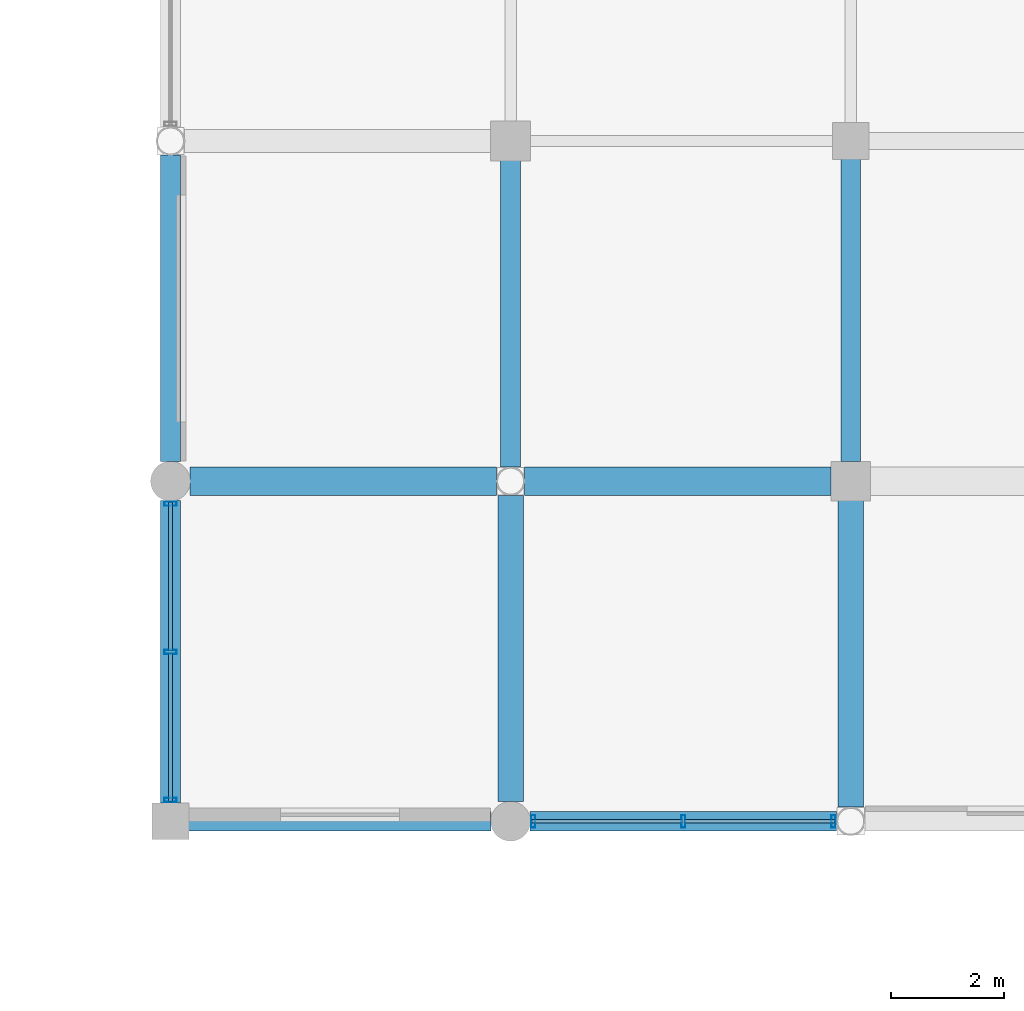
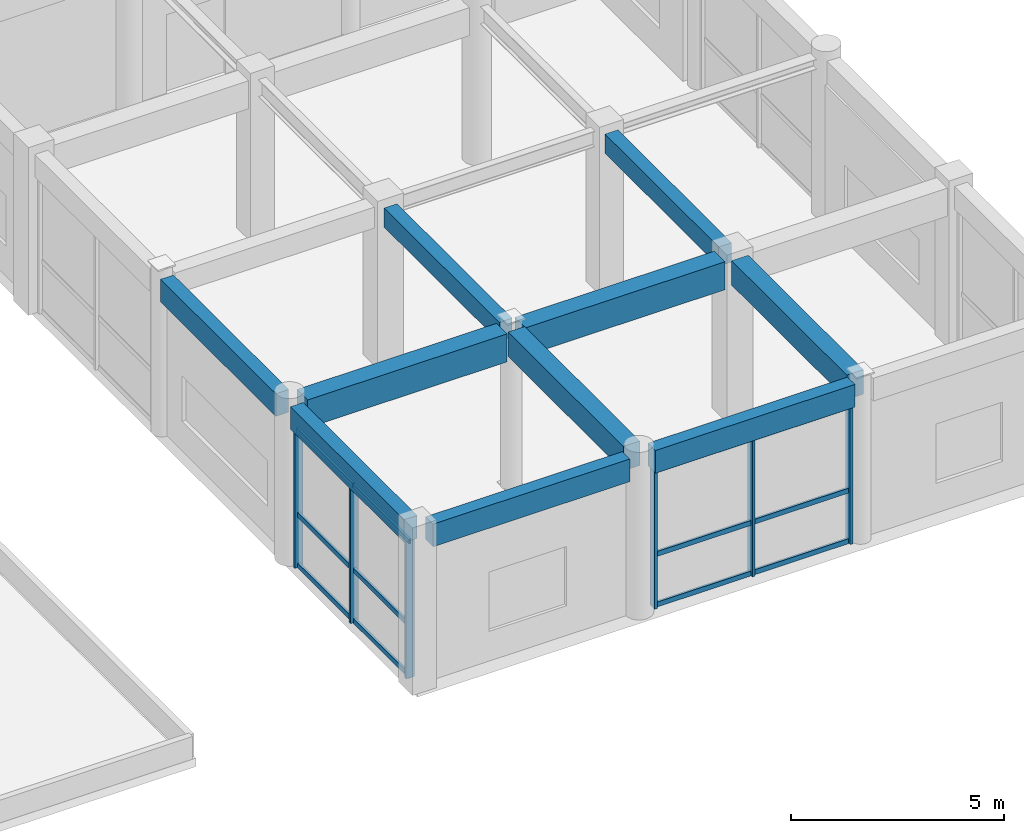
# One storey, part 59 of 112: 18 members, 10 beams, 2 elements without a shape of their own.
"""IFC4 building model written with IfcOpenShell, lengths in metres."""

from ifc_helpers import new_model, si_unit, direction, frame, origin, origin_2d, place, context, subcontext, project, spatial, rectangle, hollow_rectangle, extrude, material, material_profile, profile_set, type_object, element, aggregate, save


model = new_model("IFC4")

# Units and contexts
model_context = context("Model", 3, precision=1e-05, world=origin(), true_north=direction((0.0, 1.0)))
body_context = subcontext(model_context, "Body", "Model", "MODEL_VIEW")
ifc_project = project(units=[si_unit("LENGTHUNIT", "METRE"), si_unit("AREAUNIT", "SQUARE_METRE"), si_unit("VOLUMEUNIT", "CUBIC_METRE"), si_unit("PLANEANGLEUNIT", "RADIAN"), si_unit("MASSUNIT", "GRAM", prefix="KILO"), si_unit("THERMODYNAMICTEMPERATUREUNIT", "KELVIN"), si_unit("POWERUNIT", "WATT")], contexts=[model_context])

# Site, building, storey
site_placement = place(None, origin())
site = spatial("IfcSite", under=ifc_project, at=site_placement, CompositionType="ELEMENT")
building_placement = place(site_placement, origin())
building = spatial("IfcBuilding", under=site, at=building_placement, Name="Phaisarnlok Congress Hotel", CompositionType="ELEMENT")
storey_placement = place(building_placement, frame((0.0, 0.0, 19.800048828125)))
storey = spatial("IfcBuildingStorey", under=building, at=storey_placement, Name="L04", CompositionType="ELEMENT", Elevation=19.800048828125)

# Beams
ifc_material_1 = material(Name="Concrete C40/50", Category="concrete")
ifc_material_profile_1 = material_profile(ifc_material_1, rectangle(XDim=0.35009765625, YDim=0.550048828125, at=origin_2d()), Name="RC 350x550")
ifc_profile_set_1 = profile_set([ifc_material_profile_1], Name="Concrete C40/50")
beam_type_1 = type_object("IfcBeamType", Name="BM-RC-350x550", PredefinedType="BEAM", material=ifc_profile_set_1)
beam_1_placement = place(storey_placement, frame((168.0, 42.2490234375, 4.27490234375), z_axis=(0.0, 1.0, 0.0), x_axis=(-1.0, 0.0, 0.0)))
element("IfcBeam", 1, at=beam_1_placement, inside=storey, type_object=beam_type_1, Name="Beam B-01", PredefinedType="BEAM", context=body_context, shape_type="SweptSolid", body=[
    extrude(rectangle(XDim=0.35009765625, YDim=0.550048828125, at=origin_2d()), origin(), (0.0, 0.0, 1.0), 5.406005859375),
])
beam_2_placement = place(storey_placement, frame((174.0, 42.344970703125, 4.27490234375), z_axis=(0.0, 1.0, 0.0), x_axis=(-1.0, 0.0, 0.0)))
element("IfcBeam", 2, at=beam_2_placement, inside=storey, type_object=beam_type_1, Name="Beam B-01", PredefinedType="BEAM", context=body_context, shape_type="SweptSolid", body=[
    extrude(rectangle(XDim=0.35009765625, YDim=0.550048828125, at=origin_2d()), origin(), (0.0, 0.0, 1.0), 5.3349609375),
])
ifc_material_profile_2 = material_profile(ifc_material_1, rectangle(XDim=0.449951171875, YDim=0.699951171875, at=origin_2d()), Name="RC 450x700")
ifc_profile_set_2 = profile_set([ifc_material_profile_2], Name="Concrete C40/50")
beam_type_2 = type_object("IfcBeamType", Name="BM-RC-450x700", PredefinedType="BEAM", material=ifc_profile_set_2)
for number, where, z_axis, x_axis, name in (
    (3, (168.0, 36.344970703125, 4.244873046875), (0.0, 1.0, 0.0), (-1.0, 0.0, 0.0), "Beam B-03"),
    (4, (174.0, 36.2490234375, 4.244873046875), (0.0, 1.0, 0.0), (-1.0, 0.0, 0.0), "Beam B-03"),
):
    element("IfcBeam", number, at=place(storey_placement, frame(where, z_axis=z_axis, x_axis=x_axis)), inside=storey, type_object=beam_type_2, Name=name, PredefinedType="BEAM", context=body_context, shape_type="SweptSolid", body=[
        extrude(rectangle(XDim=0.449951171875, YDim=0.699951171875, at=origin_2d()), origin(), (0.0, 0.0, 1.0), 5.406005859375),
    ])
ifc_material_profile_3 = material_profile(ifc_material_1, rectangle(XDim=0.5, YDim=0.800048828125, at=origin_2d()), Name="RC 500x800")
ifc_profile_set_3 = profile_set([ifc_material_profile_3], Name="Concrete C40/50")
beam_type_3 = type_object("IfcBeamType", Name="BM-RC-500x800", PredefinedType="BEAM", material=ifc_profile_set_3)
for number, where, z_axis, x_axis, name in (
    (5, (162.344970703125, 42.0, 4.14990234375), (1.0, 0.0, 0.0), (0.0, 1.0, 0.0), "Beam B-04"),
    (6, (168.2490234375, 42.0, 4.14990234375), (1.0, 0.0, 0.0), (0.0, 1.0, 0.0), "Beam B-04"),
):
    element("IfcBeam", number, at=place(storey_placement, frame(where, z_axis=z_axis, x_axis=x_axis)), inside=storey, type_object=beam_type_3, Name=name, PredefinedType="BEAM", context=body_context, shape_type="SweptSolid", body=[
        extrude(rectangle(XDim=0.5, YDim=0.800048828125, at=origin_2d()), origin(), (0.0, 0.0, 1.0), 5.406005859375),
    ])

# Curtain wall, members
ifc_material_2 = material(Name="Thermally Broken Unitised Aluminium & Low-E Glazing", Category="aluminium")
curtain_wall_type_1 = type_object("IfcCurtainWallType", Name="CW-UNIT-35", PredefinedType="NOTDEFINED", material=ifc_material_2)
curtain_wall_1_placement = place(storey_placement, origin())
curtain_wall_1 = element("IfcCurtainWall", 7, at=curtain_wall_1_placement, inside=storey, type_object=curtain_wall_type_1, Name="Unitised curtain wall CW-35 (L04)", PredefinedType="NOTDEFINED")
ifc_material_3 = material(Name="Anodised Aluminium Alloy 6063-T6", Category="aluminium")
ifc_material_profile_4 = material_profile(ifc_material_3, hollow_rectangle(XDim=0.074951171875, YDim=0.219970703125, WallThickness=0.0048828125, at=origin_2d()), Name="ALU-M 75x220x5")
ifc_profile_set_4 = profile_set([ifc_material_profile_4], Name="Anodised Aluminium Alloy 6063-T6")
member_type_1 = type_object("IfcMemberType", Name="CWM-220", PredefinedType="MULLION", material=ifc_profile_set_4)
member_1_placement = place(storey_placement, frame((162.0, 41.60009765625, 0.0), z_axis=(0.0, 0.0, 1.0), x_axis=(0.0, -1.0, 0.0)))
member_1 = element("IfcMember", 8, at=member_1_placement, type_object=member_type_1, Name="Curtain wall mullion CWM-02", PredefinedType="MULLION", context=body_context, shape_type="SweptSolid", body=[
    extrude(hollow_rectangle(XDim=0.074951171875, YDim=0.219970703125, WallThickness=0.0048828125, at=origin_2d()), origin(), (0.0, 0.0, 1.0), 3.945068359375),
])
member_2_placement = place(storey_placement, frame((162.0, 38.987548828125, 0.0), z_axis=(0.0, 0.0, 1.0), x_axis=(0.0, -1.0, 0.0)))
member_2 = element("IfcMember", 9, at=member_2_placement, type_object=member_type_1, Name="Curtain wall mullion CWM-02", PredefinedType="MULLION", context=body_context, shape_type="SweptSolid", body=[
    extrude(hollow_rectangle(XDim=0.074951171875, YDim=0.219970703125, WallThickness=0.0048828125, at=origin_2d()), origin(), (0.0, 0.0, 1.0), 3.945068359375),
])
member_3_placement = place(storey_placement, frame((162.0, 36.375, 0.0), z_axis=(0.0, 0.0, 1.0), x_axis=(0.0, -1.0, 0.0)))
member_3 = element("IfcMember", 10, at=member_3_placement, type_object=member_type_1, Name="Curtain wall mullion CWM-02", PredefinedType="MULLION", context=body_context, shape_type="SweptSolid", body=[
    extrude(hollow_rectangle(XDim=0.074951171875, YDim=0.219970703125, WallThickness=0.0048828125, at=origin_2d()), origin(), (0.0, 0.0, 1.0), 3.945068359375),
])

curtain_wall_type_2 = type_object("IfcCurtainWallType", Name="CW-UNIT-36", PredefinedType="NOTDEFINED", material=ifc_material_2)
curtain_wall_2_placement = place(storey_placement, origin())
curtain_wall_2 = element("IfcCurtainWall", 11, at=curtain_wall_2_placement, inside=storey, type_object=curtain_wall_type_2, Name="Unitised curtain wall CW-36 (L04)", PredefinedType="NOTDEFINED")
member_4_placement = place(storey_placement, frame((168.39990234375, 36.0, 0.0), z_axis=(0.0, 0.0, 1.0), x_axis=(1.0, 0.0, 0.0)))
member_4 = element("IfcMember", 12, at=member_4_placement, type_object=member_type_1, Name="Curtain wall mullion CWM-02", PredefinedType="MULLION", context=body_context, shape_type="SweptSolid", body=[
    extrude(hollow_rectangle(XDim=0.074951171875, YDim=0.219970703125, WallThickness=0.0048828125, at=origin_2d()), origin(), (0.0, 0.0, 1.0), 3.945068359375),
])
member_5_placement = place(storey_placement, frame((171.048095703125, 36.0, 0.0), z_axis=(0.0, 0.0, 1.0), x_axis=(1.0, 0.0, 0.0)))
member_5 = element("IfcMember", 13, at=member_5_placement, type_object=member_type_1, Name="Curtain wall mullion CWM-02", PredefinedType="MULLION", context=body_context, shape_type="SweptSolid", body=[
    extrude(hollow_rectangle(XDim=0.074951171875, YDim=0.219970703125, WallThickness=0.0048828125, at=origin_2d()), origin(), (0.0, 0.0, 1.0), 3.945068359375),
])
member_6_placement = place(storey_placement, frame((173.696044921875, 36.0, 0.0), z_axis=(0.0, 0.0, 1.0), x_axis=(1.0, 0.0, 0.0)))
member_6 = element("IfcMember", 14, at=member_6_placement, type_object=member_type_1, Name="Curtain wall mullion CWM-02", PredefinedType="MULLION", context=body_context, shape_type="SweptSolid", body=[
    extrude(hollow_rectangle(XDim=0.074951171875, YDim=0.219970703125, WallThickness=0.0048828125, at=origin_2d()), origin(), (0.0, 0.0, 1.0), 3.945068359375),
])

# Member
ifc_material_profile_5 = material_profile(ifc_material_3, hollow_rectangle(XDim=0.06494140625, YDim=0.139892578125, WallThickness=0.00390625, at=origin_2d()), Name="ALU-T 65x140x4")
ifc_profile_set_5 = profile_set([ifc_material_profile_5], Name="Anodised Aluminium Alloy 6063-T6")
member_type_2 = type_object("IfcMemberType", Name="CWT-150", PredefinedType="USERDEFINED", material=ifc_profile_set_5)
member_7_placement = place(storey_placement, frame((162.0, 41.625, 0.050048828125), z_axis=(0.0, -1.0, 0.0), x_axis=(1.0, 0.0, 0.0)))
member_7 = element("IfcMember", 15, at=member_7_placement, type_object=member_type_2, Name="Curtain wall transom CWT-01", ObjectType="TRANSOM", PredefinedType="USERDEFINED", context=body_context, shape_type="SweptSolid", body=[
    extrude(hollow_rectangle(XDim=0.06494140625, YDim=0.139892578125, WallThickness=0.00390625, at=origin_2d()), origin(), (0.0, 0.0, 1.0), 2.62255859375),
])

member_8_placement = place(storey_placement, frame((162.0, 41.625, 1.4990234375), z_axis=(0.0, -1.0, 0.0), x_axis=(1.0, 0.0, 0.0)))
member_8 = element("IfcMember", 16, at=member_8_placement, type_object=member_type_2, Name="Curtain wall transom CWT-01", ObjectType="TRANSOM", PredefinedType="USERDEFINED", context=body_context, shape_type="SweptSolid", body=[
    extrude(hollow_rectangle(XDim=0.06494140625, YDim=0.139892578125, WallThickness=0.00390625, at=origin_2d()), origin(), (0.0, 0.0, 1.0), 2.62255859375),
])

member_9_placement = place(storey_placement, frame((162.0, 41.625, 3.89501953125), z_axis=(0.0, -1.0, 0.0), x_axis=(1.0, 0.0, 0.0)))
member_9 = element("IfcMember", 17, at=member_9_placement, type_object=member_type_2, Name="Curtain wall transom CWT-01", ObjectType="TRANSOM", PredefinedType="USERDEFINED", context=body_context, shape_type="SweptSolid", body=[
    extrude(hollow_rectangle(XDim=0.06494140625, YDim=0.139892578125, WallThickness=0.00390625, at=origin_2d()), origin(), (0.0, 0.0, 1.0), 2.62255859375),
])

member_10_placement = place(storey_placement, frame((162.0, 38.972412109375, 0.050048828125), z_axis=(0.0, -1.0, 0.0), x_axis=(1.0, 0.0, 0.0)))
member_10 = element("IfcMember", 18, at=member_10_placement, type_object=member_type_2, Name="Curtain wall transom CWT-01", ObjectType="TRANSOM", PredefinedType="USERDEFINED", context=body_context, shape_type="SweptSolid", body=[
    extrude(hollow_rectangle(XDim=0.06494140625, YDim=0.139892578125, WallThickness=0.00390625, at=origin_2d()), origin(), (0.0, 0.0, 1.0), 2.622314453125),
])

member_11_placement = place(storey_placement, frame((162.0, 38.972412109375, 1.4990234375), z_axis=(0.0, -1.0, 0.0), x_axis=(1.0, 0.0, 0.0)))
member_11 = element("IfcMember", 19, at=member_11_placement, type_object=member_type_2, Name="Curtain wall transom CWT-01", ObjectType="TRANSOM", PredefinedType="USERDEFINED", context=body_context, shape_type="SweptSolid", body=[
    extrude(hollow_rectangle(XDim=0.06494140625, YDim=0.139892578125, WallThickness=0.00390625, at=origin_2d()), origin(), (0.0, 0.0, 1.0), 2.622314453125),
])

member_12_placement = place(storey_placement, frame((162.0, 38.972412109375, 3.89501953125), z_axis=(0.0, -1.0, 0.0), x_axis=(1.0, 0.0, 0.0)))
member_12 = element("IfcMember", 20, at=member_12_placement, type_object=member_type_2, Name="Curtain wall transom CWT-01", ObjectType="TRANSOM", PredefinedType="USERDEFINED", context=body_context, shape_type="SweptSolid", body=[
    extrude(hollow_rectangle(XDim=0.06494140625, YDim=0.139892578125, WallThickness=0.00390625, at=origin_2d()), origin(), (0.0, 0.0, 1.0), 2.622314453125),
])

aggregate(curtain_wall_1, [member_1, member_2, member_3, member_7, member_8, member_9, member_10, member_11, member_12])

member_13_placement = place(storey_placement, frame((168.375, 36.0, 0.050048828125), z_axis=(1.0, 0.0, 0.0), x_axis=(0.0, 1.0, 0.0)))
member_13 = element("IfcMember", 21, at=member_13_placement, type_object=member_type_2, Name="Curtain wall transom CWT-01", ObjectType="TRANSOM", PredefinedType="USERDEFINED", context=body_context, shape_type="SweptSolid", body=[
    extrude(hollow_rectangle(XDim=0.06494140625, YDim=0.139892578125, WallThickness=0.00390625, at=origin_2d()), origin(), (0.0, 0.0, 1.0), 2.657958984375),
])

member_14_placement = place(storey_placement, frame((168.375, 36.0, 1.4990234375), z_axis=(1.0, 0.0, 0.0), x_axis=(0.0, 1.0, 0.0)))
member_14 = element("IfcMember", 22, at=member_14_placement, type_object=member_type_2, Name="Curtain wall transom CWT-01", ObjectType="TRANSOM", PredefinedType="USERDEFINED", context=body_context, shape_type="SweptSolid", body=[
    extrude(hollow_rectangle(XDim=0.06494140625, YDim=0.139892578125, WallThickness=0.00390625, at=origin_2d()), origin(), (0.0, 0.0, 1.0), 2.657958984375),
])

member_15_placement = place(storey_placement, frame((168.375, 36.0, 3.89501953125), z_axis=(1.0, 0.0, 0.0), x_axis=(0.0, 1.0, 0.0)))
member_15 = element("IfcMember", 23, at=member_15_placement, type_object=member_type_2, Name="Curtain wall transom CWT-01", ObjectType="TRANSOM", PredefinedType="USERDEFINED", context=body_context, shape_type="SweptSolid", body=[
    extrude(hollow_rectangle(XDim=0.06494140625, YDim=0.139892578125, WallThickness=0.00390625, at=origin_2d()), origin(), (0.0, 0.0, 1.0), 2.657958984375),
])

member_16_placement = place(storey_placement, frame((171.06298828125, 36.0, 0.050048828125), z_axis=(1.0, 0.0, 0.0), x_axis=(0.0, 1.0, 0.0)))
member_16 = element("IfcMember", 24, at=member_16_placement, type_object=member_type_2, Name="Curtain wall transom CWT-01", ObjectType="TRANSOM", PredefinedType="USERDEFINED", context=body_context, shape_type="SweptSolid", body=[
    extrude(hollow_rectangle(XDim=0.06494140625, YDim=0.139892578125, WallThickness=0.00390625, at=origin_2d()), origin(), (0.0, 0.0, 1.0), 2.657958984375),
])

member_17_placement = place(storey_placement, frame((171.06298828125, 36.0, 1.4990234375), z_axis=(1.0, 0.0, 0.0), x_axis=(0.0, 1.0, 0.0)))
member_17 = element("IfcMember", 25, at=member_17_placement, type_object=member_type_2, Name="Curtain wall transom CWT-01", ObjectType="TRANSOM", PredefinedType="USERDEFINED", context=body_context, shape_type="SweptSolid", body=[
    extrude(hollow_rectangle(XDim=0.06494140625, YDim=0.139892578125, WallThickness=0.00390625, at=origin_2d()), origin(), (0.0, 0.0, 1.0), 2.657958984375),
])

member_18_placement = place(storey_placement, frame((171.06298828125, 36.0, 3.89501953125), z_axis=(1.0, 0.0, 0.0), x_axis=(0.0, 1.0, 0.0)))
member_18 = element("IfcMember", 26, at=member_18_placement, type_object=member_type_2, Name="Curtain wall transom CWT-01", ObjectType="TRANSOM", PredefinedType="USERDEFINED", context=body_context, shape_type="SweptSolid", body=[
    extrude(hollow_rectangle(XDim=0.06494140625, YDim=0.139892578125, WallThickness=0.00390625, at=origin_2d()), origin(), (0.0, 0.0, 1.0), 2.657958984375),
])

aggregate(curtain_wall_2, [member_4, member_5, member_6, member_13, member_14, member_15, member_16, member_17, member_18])

# Beams
ifc_material_profile_6 = material_profile(ifc_material_1, rectangle(XDim=0.35009765625, YDim=0.64990234375, at=origin_2d()), Name="RC 350x650")
ifc_profile_set_6 = profile_set([ifc_material_profile_6], Name="Concrete C40/50")
beam_type_4 = type_object("IfcBeamType", Name="SP-RC-350x650", PredefinedType="SPANDREL", material=ifc_profile_set_6)
for number, where, z_axis, x_axis, name in (
    (27, (162.320068359375, 36.0, 4.27001953125), (1.0, 0.0, 0.0), (0.0, 1.0, 0.0), "Beam SP-01"),
    (28, (162.0, 36.320068359375, 4.27001953125), (0.0, 1.0, 0.0), (-1.0, 0.0, 0.0), "Beam SP-01"),
):
    element("IfcBeam", number, at=place(storey_placement, frame(where, z_axis=z_axis, x_axis=x_axis)), inside=storey, type_object=beam_type_4, Name=name, PredefinedType="SPANDREL", context=body_context, shape_type="SweptSolid", body=[
        extrude(rectangle(XDim=0.35009765625, YDim=0.64990234375, at=origin_2d()), origin(), (0.0, 0.0, 1.0), 5.3349609375),
    ])
for number, where, z_axis, x_axis, name in (
    (29, (162.0, 42.344970703125, 4.224853515625), (0.0, 1.0, 0.0), (-1.0, 0.0, 0.0), "Beam SP-01"),
    (30, (168.344970703125, 36.0, 4.27001953125), (1.0, 0.0, 0.0), (0.0, 1.0, 0.0), "Beam SP-01"),
):
    element("IfcBeam", number, at=place(storey_placement, frame(where, z_axis=z_axis, x_axis=x_axis)), inside=storey, type_object=beam_type_4, Name=name, PredefinedType="SPANDREL", context=body_context, shape_type="SweptSolid", body=[
        extrude(rectangle(XDim=0.35009765625, YDim=0.64990234375, at=origin_2d()), origin(), (0.0, 0.0, 1.0), 5.406005859375),
    ])

save(model, "model.ifc")
